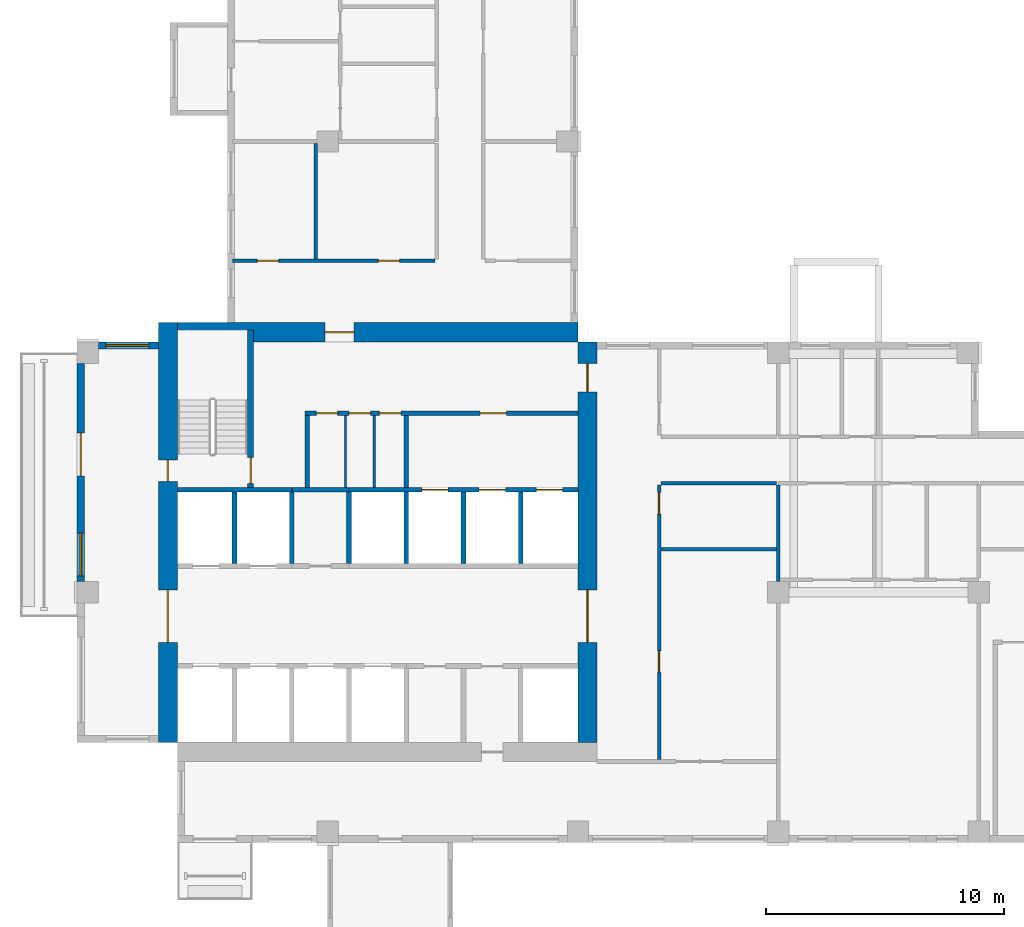
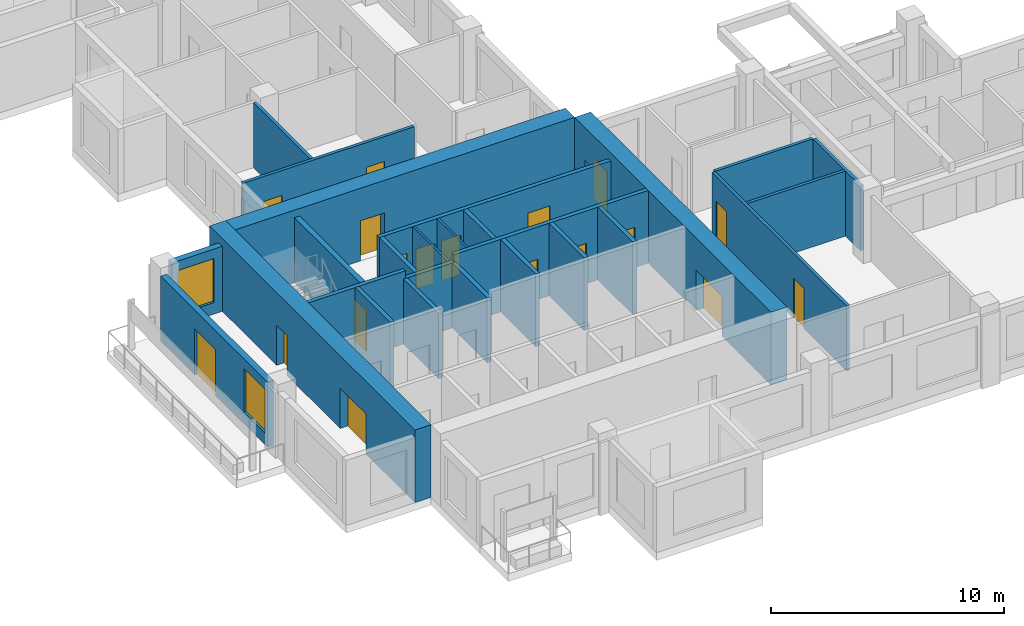
# One storey, part 3 of 12: 26 walls, 18 doors, 2 windows, 20 openings.
"""IFC4 building model written with IfcOpenShell, lengths in metres."""

from ifc_helpers import new_model, si_unit, direction, frame, frame_2d, origin, place, context, subcontext, project, spatial, rectangle, extrude, source, transform, mapped, material, layer, layer_set, type_object, element, fill, save


model = new_model("IFC4")

# Units and contexts
model_context = context("Model", 3, precision=1e-05, world=origin(), true_north=direction((0.0, 1.0)))
body_context = subcontext(model_context, "Body", "Model", "MODEL_VIEW")
ifc_project = project(units=[si_unit("LENGTHUNIT", "METRE"), si_unit("AREAUNIT", "SQUARE_METRE"), si_unit("VOLUMEUNIT", "CUBIC_METRE"), si_unit("PLANEANGLEUNIT", "RADIAN"), si_unit("MASSUNIT", "GRAM", prefix="KILO")], contexts=[model_context])

# Site, building, storey
site_placement = place(None, origin())
site = spatial("IfcSite", under=ifc_project, at=site_placement, CompositionType="ELEMENT")
building_placement = place(site_placement, origin())
building = spatial("IfcBuilding", under=site, at=building_placement, Name="Aurelian Terraces", CompositionType="ELEMENT")
storey_placement = place(building_placement, frame((0.0, 0.0, 200.6)))
storey = spatial("IfcBuildingStorey", under=building, at=storey_placement, Name="L44", CompositionType="ELEMENT", Elevation=200.6)

# Wall
ifc_material_1 = material(Name="Gypsum board on steel studs", Category="steel")
ifc_layer_1 = layer(ifc_material_1, 0.15)
ifc_layer_set_1 = layer_set([ifc_layer_1], Name="Partition 150")
wall_type_1 = type_object("IfcWallType", Name="Partition 150", PredefinedType="PARTITIONING", material=ifc_layer_set_1)
wall_1_placement = place(storey_placement, frame((29.325, 12.3, 0.0), z_axis=(0.0, 0.0, 1.0), x_axis=(-1.0, 0.0, 0.0)))
element("IfcWall", 1, at=wall_1_placement, inside=storey, type_object=wall_type_1, Name="Partition", PredefinedType="PARTITIONING", context=body_context, shape_type="SweptSolid", body=[
    extrude(rectangle(XDim=4.85, YDim=0.15, at=frame_2d((2.425, 0.0))), origin(), (0.0, 0.0, 1.0), 3.4),
])

# Wall, openings, doors
ifc_material_2 = material(Name="Concrete fc' 70 MPa", Category="concrete")
ifc_layer_2 = layer(ifc_material_2, 0.8)
ifc_layer_set_2 = layer_set([ifc_layer_2], Name="CORE WALL 800 FC70")
wall_type_2 = type_object("IfcWallType", Name="CORE WALL 800 FC70", PredefinedType="SHEAR", material=ifc_layer_set_2)
shared_shape_1 = source(origin(), body_context, "Body", "SweptSolid", [
    extrude(rectangle(XDim=17.6, YDim=0.8, at=frame_2d((8.8, 0.0))), origin(), (0.0, 0.0, 1.0), 3.8),
])
wall_2_placement = place(storey_placement, frame((3.8, 4.2, 0.0), z_axis=(0.0, 0.0, 1.0), x_axis=(0.0, 1.0, 0.0)))
wall_2 = element("IfcWall", 2, at=wall_2_placement, inside=storey, type_object=wall_type_2, Name="Core wall W L44", PredefinedType="SHEAR", context=body_context, shape_type="MappedRepresentation", body=[
    mapped(shared_shape_1, transform((0.0, 0.0, 0.0), scale=1.0)),
])
shared_shape_2 = source(origin(), body_context, "Body", "SweptSolid", [
    extrude(rectangle(XDim=2.2, YDim=2.1, at=frame_2d((1.1, 1.05))), frame((0.0, 0.41, 0.0), z_axis=(0.0, -1.0, 0.0), x_axis=(1.0, 0.0, 0.0)), (0.0, 0.0, 1.0), 0.82),
])
opening_1_placement = place(wall_2_placement, frame((4.2, 0.0, 0.0)))
opening_1 = element("IfcOpeningElement", 3, at=opening_1_placement, cuts=wall_2, Name="Opening 64724", PredefinedType="OPENING", context=body_context, shape_type="MappedRepresentation", body=[
    mapped(shared_shape_2, transform((0.0, 0.0, 0.0), scale=1.0)),
])
shared_shape_3 = source(origin(), body_context, "Body", "SweptSolid", [
    extrude(rectangle(XDim=0.9, YDim=2.1, at=frame_2d((0.45, 1.05))), frame((0.0, 0.41, 0.0), z_axis=(0.0, -1.0, 0.0), x_axis=(1.0, 0.0, 0.0)), (0.0, 0.0, 1.0), 0.82),
])
opening_2_placement = place(wall_2_placement, frame((10.95, 0.0, 0.0)))
opening_2 = element("IfcOpeningElement", 4, at=opening_2_placement, cuts=wall_2, Name="Opening 64728", PredefinedType="OPENING", context=body_context, shape_type="MappedRepresentation", body=[
    mapped(shared_shape_3, transform((0.0, 0.0, 0.0), scale=1.0)),
])
ifc_material_3 = material(Name="Steel door leaf", Category="steel")
door_type_1 = type_object("IfcDoorType", Name="Core service door 900x2100", OperationType="SINGLE_SWING_LEFT", PredefinedType="DOOR", material=ifc_material_3)
shared_shape_4 = source(origin(), body_context, "Body", "SweptSolid", [
    extrude(rectangle(XDim=0.9, YDim=2.1, at=frame_2d((0.45, 1.05))), frame((0.0, 0.025, 0.0), z_axis=(0.0, -1.0, 0.0), x_axis=(1.0, 0.0, 0.0)), (0.0, 0.0, 1.0), 0.05),
])
door_1_placement = place(opening_2_placement, origin())
door_1 = element("IfcDoor", 5, at=door_1_placement, inside=storey, type_object=door_type_1, Name="Core door 64728", OperationType="SINGLE_SWING_LEFT", OverallHeight=2.1, OverallWidth=0.9, PredefinedType="DOOR", context=body_context, shape_type="MappedRepresentation", body=[
    mapped(shared_shape_4, transform((0.0, 0.0, 0.0), scale=1.0)),
])
fill(opening_2, door_1)
door_type_2 = type_object("IfcDoorType", Name="Core double door 2200x2100", OperationType="DOUBLE_DOOR_SINGLE_SWING", PredefinedType="DOOR", material=ifc_material_3)
shared_shape_5 = source(origin(), body_context, "Body", "SweptSolid", [
    extrude(rectangle(XDim=2.2, YDim=2.1, at=frame_2d((1.1, 1.05))), frame((0.0, 0.025, 0.0), z_axis=(0.0, -1.0, 0.0), x_axis=(1.0, 0.0, 0.0)), (0.0, 0.0, 1.0), 0.05),
])
door_2_placement = place(opening_1_placement, origin())
door_2 = element("IfcDoor", 6, at=door_2_placement, inside=storey, type_object=door_type_2, Name="Core door 64724", OperationType="DOUBLE_DOOR_SINGLE_SWING", OverallHeight=2.1, OverallWidth=2.2, PredefinedType="DOOR", context=body_context, shape_type="MappedRepresentation", body=[
    mapped(shared_shape_5, transform((0.0, 0.0, 0.0), scale=1.0)),
])
fill(opening_1, door_2)

shared_shape_6 = source(origin(), body_context, "Body", "SweptSolid", [
    extrude(rectangle(XDim=16.8, YDim=0.8, at=frame_2d((8.4, 0.0))), origin(), (0.0, 0.0, 1.0), 3.8),
])
wall_3_placement = place(storey_placement, frame((21.4, 4.2, 0.0), z_axis=(0.0, 0.0, 1.0), x_axis=(0.0, 1.0, 0.0)))
wall_3 = element("IfcWall", 7, at=wall_3_placement, inside=storey, type_object=wall_type_2, Name="Core wall E L44", PredefinedType="SHEAR", context=body_context, shape_type="MappedRepresentation", body=[
    mapped(shared_shape_6, transform((0.0, 0.0, 0.0), scale=1.0)),
])
opening_3_placement = place(wall_3_placement, frame((4.2, 0.0, 0.0)))
opening_3 = element("IfcOpeningElement", 8, at=opening_3_placement, cuts=wall_3, Name="Opening 64723", PredefinedType="OPENING", context=body_context, shape_type="MappedRepresentation", body=[
    mapped(shared_shape_2, transform((0.0, 0.0, 0.0), scale=1.0)),
])
shared_shape_7 = source(origin(), body_context, "Body", "SweptSolid", [
    extrude(rectangle(XDim=1.2, YDim=2.1, at=frame_2d((0.6, 1.05))), frame((0.0, 0.41, 0.0), z_axis=(0.0, -1.0, 0.0), x_axis=(1.0, 0.0, 0.0)), (0.0, 0.0, 1.0), 0.82),
])
opening_4_placement = place(wall_3_placement, frame((14.7, 0.0, 0.0)))
opening_4 = element("IfcOpeningElement", 9, at=opening_4_placement, cuts=wall_3, Name="Opening 64726", PredefinedType="OPENING", context=body_context, shape_type="MappedRepresentation", body=[
    mapped(shared_shape_7, transform((0.0, 0.0, 0.0), scale=1.0)),
])
door_type_3 = type_object("IfcDoorType", Name="Core fire door 1200x2100", OperationType="SINGLE_SWING_LEFT", PredefinedType="DOOR", material=ifc_material_3)
shared_shape_8 = source(origin(), body_context, "Body", "SweptSolid", [
    extrude(rectangle(XDim=1.2, YDim=2.1, at=frame_2d((0.6, 1.05))), frame((0.0, 0.025, 0.0), z_axis=(0.0, -1.0, 0.0), x_axis=(1.0, 0.0, 0.0)), (0.0, 0.0, 1.0), 0.05),
])
door_3_placement = place(opening_4_placement, origin())
door_3 = element("IfcDoor", 10, at=door_3_placement, inside=storey, type_object=door_type_3, Name="Core door 64726", OperationType="SINGLE_SWING_LEFT", OverallHeight=2.1, OverallWidth=1.2, PredefinedType="DOOR", context=body_context, shape_type="MappedRepresentation", body=[
    mapped(shared_shape_8, transform((0.0, 0.0, 0.0), scale=1.0)),
])
fill(opening_4, door_3)
door_4_placement = place(opening_3_placement, origin())
door_4 = element("IfcDoor", 11, at=door_4_placement, inside=storey, type_object=door_type_2, Name="Core door 64723", OperationType="DOUBLE_DOOR_SINGLE_SWING", OverallHeight=2.1, OverallWidth=2.2, PredefinedType="DOOR", context=body_context, shape_type="MappedRepresentation", body=[
    mapped(shared_shape_5, transform((0.0, 0.0, 0.0), scale=1.0)),
])
fill(opening_3, door_4)

# Wall, opening, door
wall_4_placement = place(storey_placement, frame((4.2, 21.4, 0.0), z_axis=(0.0, 0.0, 1.0), x_axis=(1.0, 0.0, 0.0)))
wall_4 = element("IfcWall", 12, at=wall_4_placement, inside=storey, type_object=wall_type_2, Name="Core wall N L44", PredefinedType="SHEAR", context=body_context, shape_type="MappedRepresentation", body=[
    mapped(shared_shape_6, transform((0.0, 0.0, 0.0), scale=1.0)),
])
opening_5_placement = place(wall_4_placement, frame((6.2, 0.0, 0.0)))
opening_5 = element("IfcOpeningElement", 13, at=opening_5_placement, cuts=wall_4, Name="Opening 64725", PredefinedType="OPENING", context=body_context, shape_type="MappedRepresentation", body=[
    mapped(shared_shape_7, transform((0.0, 0.0, 0.0), scale=1.0)),
])
door_type_4 = type_object("IfcDoorType", Name="Core fire door 1200x2100 right", OperationType="SINGLE_SWING_RIGHT", PredefinedType="DOOR", material=ifc_material_3)
door_5_placement = place(opening_5_placement, origin())
door_5 = element("IfcDoor", 14, at=door_5_placement, inside=storey, type_object=door_type_4, Name="Core door 64725", OperationType="SINGLE_SWING_RIGHT", OverallHeight=2.1, OverallWidth=1.2, PredefinedType="DOOR", context=body_context, shape_type="MappedRepresentation", body=[
    mapped(shared_shape_8, transform((0.0, 0.0, 0.0), scale=1.0)),
])
fill(opening_5, door_5)

# Wall, opening, window
ifc_material_4 = material(Name="Terracotta rainscreen cladding", Category="masonry")
ifc_layer_3 = layer(ifc_material_4, 0.3)
ifc_layer_set_3 = layer_set([ifc_layer_3], Name="EW-300")
wall_type_3 = type_object("IfcWallType", Name="EW-300", PredefinedType="STANDARD", material=ifc_layer_set_3)
shared_shape_9 = source(origin(), body_context, "Body", "SweptSolid", [
    extrude(rectangle(XDim=2.5, YDim=0.3, at=frame_2d((1.25, 0.0))), origin(), (0.0, 0.0, 1.0), 3.4),
])
wall_5_placement = place(storey_placement, frame((3.4, 20.85, 0.0), z_axis=(0.0, 0.0, 1.0), x_axis=(-1.0, 0.0, 0.0)))
wall_5 = element("IfcWall", 15, at=wall_5_placement, inside=storey, type_object=wall_type_3, Name="External wall L44 F19.34", PredefinedType="STANDARD", context=body_context, shape_type="MappedRepresentation", body=[
    mapped(shared_shape_9, transform((0.0, 0.0, 0.0), scale=1.0)),
])
shared_shape_10 = source(origin(), body_context, "Body", "SweptSolid", [
    extrude(rectangle(XDim=1.8, YDim=2.3, at=frame_2d((0.9, 1.15))), frame((0.0, 0.16, 0.0), z_axis=(0.0, -1.0, 0.0), x_axis=(1.0, 0.0, 0.0)), (0.0, 0.0, 1.0), 0.32),
])
opening_6_placement = place(wall_5_placement, frame((0.4, 0.0, 0.6)))
opening_6 = element("IfcOpeningElement", 16, at=opening_6_placement, cuts=wall_5, Name="Opening W1823", PredefinedType="OPENING", context=body_context, shape_type="MappedRepresentation", body=[
    mapped(shared_shape_10, transform((0.0, 0.0, 0.0), scale=1.0)),
])
ifc_material_5 = material(Name="Clear glazing", Category="glass")
window_type = type_object("IfcWindowType", Name="W-1800x2300", PartitioningType="SINGLE_PANEL", PredefinedType="WINDOW", material=ifc_material_5)
shared_shape_11 = source(origin(), body_context, "Body", "SweptSolid", [
    extrude(rectangle(XDim=1.8, YDim=2.3, at=frame_2d((0.9, 1.15))), frame((0.0, 0.03, 0.0), z_axis=(0.0, -1.0, 0.0), x_axis=(1.0, 0.0, 0.0)), (0.0, 0.0, 1.0), 0.06),
])
window_1_placement = place(opening_6_placement, origin())
window_1 = element("IfcWindow", 17, at=window_1_placement, inside=storey, type_object=window_type, Name="Window L44 L44-F19-34-0", OverallHeight=2.3, OverallWidth=1.8, PartitioningType="SINGLE_PANEL", PredefinedType="WINDOW", context=body_context, shape_type="MappedRepresentation", body=[
    mapped(shared_shape_11, transform((0.0, 0.0, 0.0), scale=1.0)),
])
fill(opening_6, window_1)

# Wall, openings, door, window
shared_shape_12 = source(origin(), body_context, "Body", "SweptSolid", [
    extrude(rectangle(XDim=9.15, YDim=0.3, at=frame_2d((4.575, 0.0))), origin(), (0.0, 0.0, 1.0), 3.4),
])
wall_6_placement = place(storey_placement, frame((0.15, 20.1, 0.0), z_axis=(0.0, 0.0, 1.0), x_axis=(0.0, -1.0, 0.0)))
wall_6 = element("IfcWall", 18, at=wall_6_placement, inside=storey, type_object=wall_type_3, Name="External wall L44 F20.35", PredefinedType="STANDARD", context=body_context, shape_type="MappedRepresentation", body=[
    mapped(shared_shape_12, transform((0.0, 0.0, 0.0), scale=1.0)),
])
shared_shape_13 = source(origin(), body_context, "Body", "SweptSolid", [
    extrude(rectangle(XDim=1.8, YDim=2.4, at=frame_2d((0.9, 1.2))), frame((0.0, 0.16, 0.0), z_axis=(0.0, -1.0, 0.0), x_axis=(1.0, 0.0, 0.0)), (0.0, 0.0, 1.0), 0.32),
])
opening_7_placement = place(wall_6_placement, frame((2.925, 0.0, 0.0)))
opening_7 = element("IfcOpeningElement", 19, at=opening_7_placement, cuts=wall_6, Name="Opening 84404", PredefinedType="OPENING", context=body_context, shape_type="MappedRepresentation", body=[
    mapped(shared_shape_13, transform((0.0, 0.0, 0.0), scale=1.0)),
])
opening_8_placement = place(wall_6_placement, frame((7.125, 0.0, 0.6)))
opening_8 = element("IfcOpeningElement", 20, at=opening_8_placement, cuts=wall_6, Name="Opening W1823", PredefinedType="OPENING", context=body_context, shape_type="MappedRepresentation", body=[
    mapped(shared_shape_10, transform((0.0, 0.0, 0.0), scale=1.0)),
])
door_type_5 = type_object("IfcDoorType", Name="BD-1800x2400", OperationType="SLIDING_TO_LEFT", PredefinedType="DOOR", material=ifc_material_5)
shared_shape_14 = source(origin(), body_context, "Body", "SweptSolid", [
    extrude(rectangle(XDim=1.8, YDim=2.4, at=frame_2d((0.9, 1.2))), frame((0.0, 0.025, 0.0), z_axis=(0.0, -1.0, 0.0), x_axis=(1.0, 0.0, 0.0)), (0.0, 0.0, 1.0), 0.05),
])
door_6_placement = place(opening_7_placement, origin())
door_6 = element("IfcDoor", 21, at=door_6_placement, inside=storey, type_object=door_type_5, Name="Balcony door L44 F20.35", OperationType="SLIDING_TO_LEFT", OverallHeight=2.4, OverallWidth=1.8, PredefinedType="DOOR", context=body_context, shape_type="MappedRepresentation", body=[
    mapped(shared_shape_14, transform((0.0, 0.0, 0.0), scale=1.0)),
])
fill(opening_7, door_6)
window_2_placement = place(opening_8_placement, origin())
window_2 = element("IfcWindow", 22, at=window_2_placement, inside=storey, type_object=window_type, Name="Window L44 L44-F20-35-2", OverallHeight=2.3, OverallWidth=1.8, PartitioningType="SINGLE_PANEL", PredefinedType="WINDOW", context=body_context, shape_type="MappedRepresentation", body=[
    mapped(shared_shape_11, transform((0.0, 0.0, 0.0), scale=1.0)),
])
fill(opening_8, window_2)

# Walls
ifc_material_6 = material(Name="Concrete fc' 40 MPa", Category="concrete")
ifc_layer_4 = layer(ifc_material_6, 0.2)
ifc_layer_set_4 = layer_set([ifc_layer_4], Name="Lift shaft wall 200")
wall_type_4 = type_object("IfcWallType", Name="Lift shaft wall 200", PredefinedType="SOLIDWALL", material=ifc_layer_set_4)
shared_shape_15 = source(origin(), body_context, "Body", "SweptSolid", [
    extrude(rectangle(XDim=3.0, YDim=0.2, at=frame_2d((1.5, 0.0))), origin(), (0.0, 0.0, 1.0), 3.4),
])
for number, where, z_axis, x_axis, name in (
    (23, (9.0, 11.7, 0.0), (0.0, 0.0, 1.0), (0.0, 1.0, 0.0), "L44 core wall CD-B2"),
    (24, (11.4, 11.7, 0.0), (0.0, 0.0, 1.0), (0.0, 1.0, 0.0), "L44 core wall CD-B3"),
):
    element("IfcWall", number, at=place(storey_placement, frame(where, z_axis=z_axis, x_axis=x_axis)), inside=storey, type_object=wall_type_4, Name=name, PredefinedType="SOLIDWALL", context=body_context, shape_type="MappedRepresentation", body=[
        mapped(shared_shape_15, transform((0.0, 0.0, 0.0), scale=1.0)),
    ])
shared_shape_16 = source(origin(), body_context, "Body", "SweptSolid", [
    extrude(rectangle(XDim=3.0, YDim=0.2, at=frame_2d((1.5, 0.0))), origin(), (0.0, 0.0, 1.0), 3.8),
])
for number, where, z_axis, x_axis, name in (
    (25, (6.6, 11.7, 0.0), (0.0, 0.0, 1.0), (0.0, 1.0, 0.0), "L44 core wall CD-B1"),
    (26, (13.8, 11.7, 0.0), (0.0, 0.0, 1.0), (0.0, 1.0, 0.0), "L44 core wall CD-B4"),
    (27, (16.2, 11.7, 0.0), (0.0, 0.0, 1.0), (0.0, 1.0, 0.0), "L44 core wall CD-B5"),
    (28, (18.6, 11.7, 0.0), (0.0, 0.0, 1.0), (0.0, 1.0, 0.0), "L44 core wall CD-B6"),
):
    element("IfcWall", number, at=place(storey_placement, frame(where, z_axis=z_axis, x_axis=x_axis)), inside=storey, type_object=wall_type_4, Name=name, PredefinedType="SOLIDWALL", context=body_context, shape_type="MappedRepresentation", body=[
        mapped(shared_shape_16, transform((0.0, 0.0, 0.0), scale=1.0)),
    ])

# Wall, openings, doors
shared_shape_17 = source(origin(), body_context, "Body", "SweptSolid", [
    extrude(rectangle(XDim=9.6, YDim=0.2, at=frame_2d((4.8, 0.0))), origin(), (0.0, 0.0, 1.0), 3.8),
])
wall_7_placement = place(storey_placement, frame((11.4, 14.8, 0.0), z_axis=(0.0, 0.0, 1.0), x_axis=(1.0, 0.0, 0.0)))
wall_7 = element("IfcWall", 29, at=wall_7_placement, inside=storey, type_object=wall_type_4, Name="L44 core wall CF-BB3", PredefinedType="SOLIDWALL", context=body_context, shape_type="MappedRepresentation", body=[
    mapped(shared_shape_17, transform((0.0, 0.0, 0.0), scale=1.0)),
])
shared_shape_18 = source(origin(), body_context, "Body", "SweptSolid", [
    extrude(rectangle(XDim=1.1, YDim=2.1, at=frame_2d((0.55, 1.05))), frame((0.0, 0.11, 0.0), z_axis=(0.0, -1.0, 0.0), x_axis=(1.0, 0.0, 0.0)), (0.0, 0.0, 1.0), 0.22),
])
opening_9_placement = place(wall_7_placement, frame((3.05, 0.0, 0.0)))
opening_9 = element("IfcOpeningElement", 30, at=opening_9_placement, cuts=wall_7, Name="Opening 64709", PredefinedType="OPENING", context=body_context, shape_type="MappedRepresentation", body=[
    mapped(shared_shape_18, transform((0.0, 0.0, 0.0), scale=1.0)),
])
opening_10_placement = place(wall_7_placement, frame((5.45, 0.0, 0.0)))
opening_10 = element("IfcOpeningElement", 31, at=opening_10_placement, cuts=wall_7, Name="Opening 64710", PredefinedType="OPENING", context=body_context, shape_type="MappedRepresentation", body=[
    mapped(shared_shape_18, transform((0.0, 0.0, 0.0), scale=1.0)),
])
opening_11_placement = place(wall_7_placement, frame((7.85, 0.0, 0.0)))
opening_11 = element("IfcOpeningElement", 32, at=opening_11_placement, cuts=wall_7, Name="Opening 64711", PredefinedType="OPENING", context=body_context, shape_type="MappedRepresentation", body=[
    mapped(shared_shape_18, transform((0.0, 0.0, 0.0), scale=1.0)),
])
ifc_material_7 = material(Name="Stainless steel", Category="steel")
door_type_6 = type_object("IfcDoorType", Name="Lift landing door 1100x2100", OperationType="SLIDING_TO_LEFT", PredefinedType="DOOR", material=ifc_material_7)
shared_shape_19 = source(origin(), body_context, "Body", "SweptSolid", [
    extrude(rectangle(XDim=1.1, YDim=2.1, at=frame_2d((0.55, 1.05))), frame((0.0, 0.025, 0.0), z_axis=(0.0, -1.0, 0.0), x_axis=(1.0, 0.0, 0.0)), (0.0, 0.0, 1.0), 0.05),
])
door_7_placement = place(opening_9_placement, origin())
door_7 = element("IfcDoor", 33, at=door_7_placement, inside=storey, type_object=door_type_6, Name="Lift landing door F1 L44", OperationType="SLIDING_TO_LEFT", OverallHeight=2.1, OverallWidth=1.1, PredefinedType="DOOR", context=body_context, shape_type="MappedRepresentation", body=[
    mapped(shared_shape_19, transform((0.0, 0.0, 0.0), scale=1.0)),
])
fill(opening_9, door_7)
door_8_placement = place(opening_10_placement, origin())
door_8 = element("IfcDoor", 34, at=door_8_placement, inside=storey, type_object=door_type_6, Name="Lift landing door F2 L44", OperationType="SLIDING_TO_LEFT", OverallHeight=2.1, OverallWidth=1.1, PredefinedType="DOOR", context=body_context, shape_type="MappedRepresentation", body=[
    mapped(shared_shape_19, transform((0.0, 0.0, 0.0), scale=1.0)),
])
fill(opening_10, door_8)
door_9_placement = place(opening_11_placement, origin())
door_9 = element("IfcDoor", 35, at=door_9_placement, inside=storey, type_object=door_type_6, Name="Lift landing door F3 L44", OperationType="SLIDING_TO_LEFT", OverallHeight=2.1, OverallWidth=1.1, PredefinedType="DOOR", context=body_context, shape_type="MappedRepresentation", body=[
    mapped(shared_shape_19, transform((0.0, 0.0, 0.0), scale=1.0)),
])
fill(opening_11, door_9)

# Walls
shared_shape_20 = source(origin(), body_context, "Body", "SweptSolid", [
    extrude(rectangle(XDim=4.8, YDim=0.2, at=frame_2d((2.4, 0.0))), origin(), (0.0, 0.0, 1.0), 3.8),
])
wall_8_placement = place(storey_placement, frame((4.2, 14.8, 0.0), z_axis=(0.0, 0.0, 1.0), x_axis=(1.0, 0.0, 0.0)))
element("IfcWall", 36, at=wall_8_placement, inside=storey, type_object=wall_type_4, Name="L44 core wall CF-BB1", PredefinedType="SOLIDWALL", context=body_context, shape_type="MappedRepresentation", body=[
    mapped(shared_shape_20, transform((0.0, 0.0, 0.0), scale=1.0)),
])
shared_shape_21 = source(origin(), body_context, "Body", "SweptSolid", [
    extrude(rectangle(XDim=2.4, YDim=0.2, at=frame_2d((1.2, 0.0))), origin(), (0.0, 0.0, 1.0), 3.4),
])
wall_9_placement = place(storey_placement, frame((9.0, 14.8, 0.0), z_axis=(0.0, 0.0, 1.0), x_axis=(1.0, 0.0, 0.0)))
element("IfcWall", 37, at=wall_9_placement, inside=storey, type_object=wall_type_4, Name="L44 core wall CF-BB2", PredefinedType="SOLIDWALL", context=body_context, shape_type="MappedRepresentation", body=[
    mapped(shared_shape_21, transform((0.0, 0.0, 0.0), scale=1.0)),
])
ifc_layer_5 = layer(ifc_material_1, 0.2)
ifc_layer_set_5 = layer_set([ifc_layer_5], Name="Core partition 200")
wall_type_5 = type_object("IfcWallType", Name="Core partition 200", PredefinedType="PARTITIONING", material=ifc_layer_set_5)
shared_shape_22 = source(origin(), body_context, "Body", "SweptSolid", [
    extrude(rectangle(XDim=3.0, YDim=0.2, at=frame_2d((1.5, 0.0))), origin(), (0.0, 0.0, 1.0), 3.4),
])
for number, where, z_axis, x_axis, name in (
    (38, (9.65, 14.9, 0.0), (0.0, 0.0, 1.0), (0.0, 1.0, 0.0), "L44 core wall CP-VEST"),
    (39, (13.8, 14.9, 0.0), (0.0, 0.0, 1.0), (0.0, 1.0, 0.0), "L44 core wall CP-FFL"),
):
    element("IfcWall", number, at=place(storey_placement, frame(where, z_axis=z_axis, x_axis=x_axis)), inside=storey, type_object=wall_type_5, Name=name, PredefinedType="PARTITIONING", context=body_context, shape_type="MappedRepresentation", body=[
        mapped(shared_shape_22, transform((0.0, 0.0, 0.0), scale=1.0)),
    ])
ifc_layer_6 = layer(ifc_material_1, 0.1)
ifc_layer_set_6 = layer_set([ifc_layer_6], Name="Core partition 100")
wall_type_6 = type_object("IfcWallType", Name="Core partition 100", PredefinedType="PARTITIONING", material=ifc_layer_set_6)
shared_shape_23 = source(origin(), body_context, "Body", "SweptSolid", [
    extrude(rectangle(XDim=3.0, YDim=0.1, at=frame_2d((1.5, 0.0))), origin(), (0.0, 0.0, 1.0), 3.4),
])
for number, where, z_axis, x_axis, name in (
    (40, (11.25, 14.9, 0.0), (0.0, 0.0, 1.0), (0.0, 1.0, 0.0), "L44 core wall CP-SV1"),
    (41, (12.45, 14.9, 0.0), (0.0, 0.0, 1.0), (0.0, 1.0, 0.0), "L44 core wall CP-SV2"),
):
    element("IfcWall", number, at=place(storey_placement, frame(where, z_axis=z_axis, x_axis=x_axis)), inside=storey, type_object=wall_type_6, Name=name, PredefinedType="PARTITIONING", context=body_context, shape_type="MappedRepresentation", body=[
        mapped(shared_shape_23, transform((0.0, 0.0, 0.0), scale=1.0)),
    ])

# Wall, opening, door
ifc_layer_7 = layer(ifc_material_6, 0.25)
ifc_layer_set_7 = layer_set([ifc_layer_7], Name="Stair enclosure wall 250")
wall_type_7 = type_object("IfcWallType", Name="Stair enclosure wall 250", PredefinedType="SOLIDWALL", material=ifc_layer_set_7)
shared_shape_24 = source(origin(), body_context, "Body", "SweptSolid", [
    extrude(rectangle(XDim=6.6, YDim=0.25, at=frame_2d((3.3, 0.0))), origin(), (0.0, 0.0, 1.0), 3.4),
])
wall_10_placement = place(storey_placement, frame((7.275, 14.9, 0.0), z_axis=(0.0, 0.0, 1.0), x_axis=(0.0, 1.0, 0.0)))
wall_10 = element("IfcWall", 42, at=wall_10_placement, inside=storey, type_object=wall_type_7, Name="L44 core wall ST-S1-E", PredefinedType="SOLIDWALL", context=body_context, shape_type="MappedRepresentation", body=[
    mapped(shared_shape_24, transform((0.0, 0.0, 0.0), scale=1.0)),
])
shared_shape_25 = source(origin(), body_context, "Body", "SweptSolid", [
    extrude(rectangle(XDim=1.1, YDim=2.1, at=frame_2d((0.55, 1.05))), frame((0.0, 0.135, 0.0), z_axis=(0.0, -1.0, 0.0), x_axis=(1.0, 0.0, 0.0)), (0.0, 0.0, 1.0), 0.27),
])
opening_12_placement = place(wall_10_placement, frame((0.15, 0.0, 0.0)))
opening_12 = element("IfcOpeningElement", 43, at=opening_12_placement, cuts=wall_10, Name="Opening 64712", PredefinedType="OPENING", context=body_context, shape_type="MappedRepresentation", body=[
    mapped(shared_shape_25, transform((0.0, 0.0, 0.0), scale=1.0)),
])
door_type_7 = type_object("IfcDoorType", Name="Core fire door 1100x2100 right", OperationType="SINGLE_SWING_RIGHT", PredefinedType="DOOR", material=ifc_material_3)
door_10_placement = place(opening_12_placement, origin())
door_10 = element("IfcDoor", 44, at=door_10_placement, inside=storey, type_object=door_type_7, Name="Stair door 64712", OperationType="SINGLE_SWING_RIGHT", OverallHeight=2.1, OverallWidth=1.1, PredefinedType="DOOR", context=body_context, shape_type="MappedRepresentation", body=[
    mapped(shared_shape_19, transform((0.0, 0.0, 0.0), scale=1.0)),
])
fill(opening_12, door_10)

# Wall, openings, doors
shared_shape_26 = source(origin(), body_context, "Body", "SweptSolid", [
    extrude(rectangle(XDim=11.45, YDim=0.2, at=frame_2d((5.725, 0.0))), origin(), (0.0, 0.0, 1.0), 3.4),
])
wall_11_placement = place(storey_placement, frame((9.55, 18.0, 0.0), z_axis=(0.0, 0.0, 1.0), x_axis=(1.0, 0.0, 0.0)))
wall_11 = element("IfcWall", 45, at=wall_11_placement, inside=storey, type_object=wall_type_5, Name="L44 core wall CP-NORTH", PredefinedType="PARTITIONING", context=body_context, shape_type="MappedRepresentation", body=[
    mapped(shared_shape_26, transform((0.0, 0.0, 0.0), scale=1.0)),
])
shared_shape_27 = source(origin(), body_context, "Body", "SweptSolid", [
    extrude(rectangle(XDim=0.9, YDim=2.1, at=frame_2d((0.45, 1.05))), frame((0.0, 0.11, 0.0), z_axis=(0.0, -1.0, 0.0), x_axis=(1.0, 0.0, 0.0)), (0.0, 0.0, 1.0), 0.22),
])
opening_13_placement = place(wall_11_placement, frame((0.475, 0.0, 0.0)))
opening_13 = element("IfcOpeningElement", 46, at=opening_13_placement, cuts=wall_11, Name="Opening 64713", PredefinedType="OPENING", context=body_context, shape_type="MappedRepresentation", body=[
    mapped(shared_shape_27, transform((0.0, 0.0, 0.0), scale=1.0)),
])
opening_14_placement = place(wall_11_placement, frame((1.85, 0.0, 0.0)))
opening_14 = element("IfcOpeningElement", 47, at=opening_14_placement, cuts=wall_11, Name="Opening 64714", PredefinedType="OPENING", context=body_context, shape_type="MappedRepresentation", body=[
    mapped(shared_shape_27, transform((0.0, 0.0, 0.0), scale=1.0)),
])
opening_15_placement = place(wall_11_placement, frame((3.125, 0.0, 0.0)))
opening_15 = element("IfcOpeningElement", 48, at=opening_15_placement, cuts=wall_11, Name="Opening 64715", PredefinedType="OPENING", context=body_context, shape_type="MappedRepresentation", body=[
    mapped(shared_shape_27, transform((0.0, 0.0, 0.0), scale=1.0)),
])
opening_16_placement = place(wall_11_placement, frame((7.35, 0.0, 0.0)))
opening_16 = element("IfcOpeningElement", 49, at=opening_16_placement, cuts=wall_11, Name="Opening 64716", PredefinedType="OPENING", context=body_context, shape_type="MappedRepresentation", body=[
    mapped(shared_shape_18, transform((0.0, 0.0, 0.0), scale=1.0)),
])
door_11_placement = place(opening_13_placement, origin())
door_11 = element("IfcDoor", 50, at=door_11_placement, inside=storey, type_object=door_type_1, Name="Room door 64713", OperationType="SINGLE_SWING_LEFT", OverallHeight=2.1, OverallWidth=0.9, PredefinedType="DOOR", context=body_context, shape_type="MappedRepresentation", body=[
    mapped(shared_shape_4, transform((0.0, 0.0, 0.0), scale=1.0)),
])
fill(opening_13, door_11)
door_type_8 = type_object("IfcDoorType", Name="Core riser door 900x2100 right", OperationType="SINGLE_SWING_RIGHT", PredefinedType="DOOR", material=ifc_material_3)
door_12_placement = place(opening_14_placement, origin())
door_12 = element("IfcDoor", 51, at=door_12_placement, inside=storey, type_object=door_type_8, Name="Room door 64714", OperationType="SINGLE_SWING_RIGHT", OverallHeight=2.1, OverallWidth=0.9, PredefinedType="DOOR", context=body_context, shape_type="MappedRepresentation", body=[
    mapped(shared_shape_4, transform((0.0, 0.0, 0.0), scale=1.0)),
])
fill(opening_14, door_12)
door_13_placement = place(opening_15_placement, origin())
door_13 = element("IfcDoor", 52, at=door_13_placement, inside=storey, type_object=door_type_1, Name="Room door 64715", OperationType="SINGLE_SWING_LEFT", OverallHeight=2.1, OverallWidth=0.9, PredefinedType="DOOR", context=body_context, shape_type="MappedRepresentation", body=[
    mapped(shared_shape_4, transform((0.0, 0.0, 0.0), scale=1.0)),
])
fill(opening_15, door_13)
door_14_placement = place(opening_16_placement, origin())
door_14 = element("IfcDoor", 53, at=door_14_placement, inside=storey, type_object=door_type_7, Name="Ff lobby door 64716", OperationType="SINGLE_SWING_RIGHT", OverallHeight=2.1, OverallWidth=1.1, PredefinedType="DOOR", context=body_context, shape_type="MappedRepresentation", body=[
    mapped(shared_shape_19, transform((0.0, 0.0, 0.0), scale=1.0)),
])
fill(opening_16, door_14)

# Wall
shared_shape_28 = source(origin(), body_context, "Body", "SweptSolid", [
    extrude(rectangle(XDim=4.051, YDim=0.15, at=frame_2d((2.0255, 0.0))), origin(), (0.0, 0.0, 1.0), 3.4),
])
wall_12_placement = place(storey_placement, frame((29.4, 10.949, 0.0), z_axis=(0.0, 0.0, 1.0), x_axis=(0.0, 1.0, 0.0)))
element("IfcWall", 54, at=wall_12_placement, inside=storey, type_object=wall_type_1, Name="Partition", PredefinedType="PARTITIONING", context=body_context, shape_type="MappedRepresentation", body=[
    mapped(shared_shape_28, transform((0.0, 0.0, 0.0), scale=1.0)),
])

# Wall, openings, doors
shared_shape_29 = source(origin(), body_context, "Body", "SweptSolid", [
    extrude(rectangle(XDim=8.495, YDim=0.15, at=frame_2d((4.2475, 0.0))), origin(), (0.0, 0.0, 1.0), 3.4),
])
wall_13_placement = place(storey_placement, frame((6.505, 24.4, 0.0), z_axis=(0.0, 0.0, 1.0), x_axis=(1.0, 0.0, 0.0)))
wall_13 = element("IfcWall", 55, at=wall_13_placement, inside=storey, type_object=wall_type_1, Name="Partition", PredefinedType="PARTITIONING", context=body_context, shape_type="MappedRepresentation", body=[
    mapped(shared_shape_29, transform((0.0, 0.0, 0.0), scale=1.0)),
])
shared_shape_30 = source(origin(), body_context, "Body", "SweptSolid", [
    extrude(rectangle(XDim=0.9, YDim=2.1, at=frame_2d((0.45, 1.05))), frame((0.0, 0.085, 0.0), z_axis=(0.0, -1.0, 0.0), x_axis=(1.0, 0.0, 0.0)), (0.0, 0.0, 1.0), 0.17),
])
opening_17_placement = place(wall_13_placement, frame((1.045, 0.0, 0.0)))
opening_17 = element("IfcOpeningElement", 56, at=opening_17_placement, cuts=wall_13, Name="Opening 744019", PredefinedType="OPENING", context=body_context, shape_type="MappedRepresentation", body=[
    mapped(shared_shape_30, transform((0.0, 0.0, 0.0), scale=1.0)),
])
opening_18_placement = place(wall_13_placement, frame((6.12, 0.0, 0.0)))
opening_18 = element("IfcOpeningElement", 57, at=opening_18_placement, cuts=wall_13, Name="Opening 744020", PredefinedType="OPENING", context=body_context, shape_type="MappedRepresentation", body=[
    mapped(shared_shape_30, transform((0.0, 0.0, 0.0), scale=1.0)),
])
ifc_material_8 = material(Name="Timber door leaf", Category="wood")
door_type_9 = type_object("IfcDoorType", Name="Room door 900x2100 right", OperationType="SINGLE_SWING_RIGHT", PredefinedType="DOOR", material=ifc_material_8)
door_15_placement = place(opening_17_placement, origin())
door_15 = element("IfcDoor", 58, at=door_15_placement, inside=storey, type_object=door_type_9, Name="Door 744019", OperationType="SINGLE_SWING_RIGHT", OverallHeight=2.1, OverallWidth=0.9, PredefinedType="DOOR", context=body_context, shape_type="MappedRepresentation", body=[
    mapped(shared_shape_4, transform((0.0, 0.0, 0.0), scale=1.0)),
])
fill(opening_17, door_15)
door_type_10 = type_object("IfcDoorType", Name="Room door 900x2100 left", OperationType="SINGLE_SWING_LEFT", PredefinedType="DOOR", material=ifc_material_8)
door_16_placement = place(opening_18_placement, origin())
door_16 = element("IfcDoor", 59, at=door_16_placement, inside=storey, type_object=door_type_10, Name="Door 744020", OperationType="SINGLE_SWING_LEFT", OverallHeight=2.1, OverallWidth=0.9, PredefinedType="DOOR", context=body_context, shape_type="MappedRepresentation", body=[
    mapped(shared_shape_4, transform((0.0, 0.0, 0.0), scale=1.0)),
])
fill(opening_18, door_16)

shared_shape_31 = source(origin(), body_context, "Body", "SweptSolid", [
    extrude(rectangle(XDim=11.525, YDim=0.15, at=frame_2d((5.7625, 0.0))), origin(), (0.0, 0.0, 1.0), 3.4),
])
wall_14_placement = place(storey_placement, frame((24.4, 15.0, 0.0), z_axis=(0.0, 0.0, 1.0), x_axis=(0.0, -1.0, 0.0)))
wall_14 = element("IfcWall", 60, at=wall_14_placement, inside=storey, type_object=wall_type_1, Name="Partition", PredefinedType="PARTITIONING", context=body_context, shape_type="MappedRepresentation", body=[
    mapped(shared_shape_31, transform((0.0, 0.0, 0.0), scale=1.0)),
])
opening_19_placement = place(wall_14_placement, frame((6.9625, 0.0, 0.0)))
opening_19 = element("IfcOpeningElement", 61, at=opening_19_placement, cuts=wall_14, Name="Opening 744001", PredefinedType="OPENING", context=body_context, shape_type="MappedRepresentation", body=[
    mapped(shared_shape_30, transform((0.0, 0.0, 0.0), scale=1.0)),
])
opening_20_placement = place(wall_14_placement, frame((0.325, 0.0, 0.0)))
opening_20 = element("IfcOpeningElement", 62, at=opening_20_placement, cuts=wall_14, Name="Opening 744002", PredefinedType="OPENING", context=body_context, shape_type="MappedRepresentation", body=[
    mapped(shared_shape_30, transform((0.0, 0.0, 0.0), scale=1.0)),
])
door_17_placement = place(opening_19_placement, origin())
door_17 = element("IfcDoor", 63, at=door_17_placement, inside=storey, type_object=door_type_9, Name="Door 744001", OperationType="SINGLE_SWING_RIGHT", OverallHeight=2.1, OverallWidth=0.9, PredefinedType="DOOR", context=body_context, shape_type="MappedRepresentation", body=[
    mapped(shared_shape_4, transform((0.0, 0.0, 0.0), scale=1.0)),
])
fill(opening_19, door_17)
door_18_placement = place(opening_20_placement, origin())
door_18 = element("IfcDoor", 64, at=door_18_placement, inside=storey, type_object=door_type_10, Name="Door 744002", OperationType="SINGLE_SWING_LEFT", OverallHeight=2.1, OverallWidth=0.9, PredefinedType="DOOR", context=body_context, shape_type="MappedRepresentation", body=[
    mapped(shared_shape_4, transform((0.0, 0.0, 0.0), scale=1.0)),
])
fill(opening_20, door_18)

# Walls
ifc_layer_8 = layer(ifc_material_1, 0.15)
ifc_layer_set_8 = layer_set([ifc_layer_8], Name="Fire partition 150")
wall_type_8 = type_object("IfcWallType", Name="Fire partition 150", PredefinedType="PARTITIONING", material=ifc_layer_set_8)
shared_shape_32 = source(origin(), body_context, "Body", "SweptSolid", [
    extrude(rectangle(XDim=4.85, YDim=0.15, at=frame_2d((2.425, 0.0))), origin(), (0.0, 0.0, 1.0), 3.4),
])
wall_15_placement = place(storey_placement, frame((29.325, 15.075, 0.0), z_axis=(0.0, 0.0, 1.0), x_axis=(-1.0, 0.0, 0.0)))
element("IfcWall", 65, at=wall_15_placement, inside=storey, type_object=wall_type_8, Name="Corridor wall", PredefinedType="PARTITIONING", context=body_context, shape_type="MappedRepresentation", body=[
    mapped(shared_shape_32, transform((0.0, 0.0, 0.0), scale=1.0)),
])
wall_16_placement = place(storey_placement, frame((10.0, 24.475, 0.0), z_axis=(0.0, 0.0, 1.0), x_axis=(0.0, 1.0, 0.0)))
element("IfcWall", 66, at=wall_16_placement, inside=storey, type_object=wall_type_1, Name="Partition", PredefinedType="PARTITIONING", context=body_context, shape_type="MappedRepresentation", body=[
    mapped(shared_shape_32, transform((0.0, 0.0, 0.0), scale=1.0)),
])

save(model, "model.ifc")
